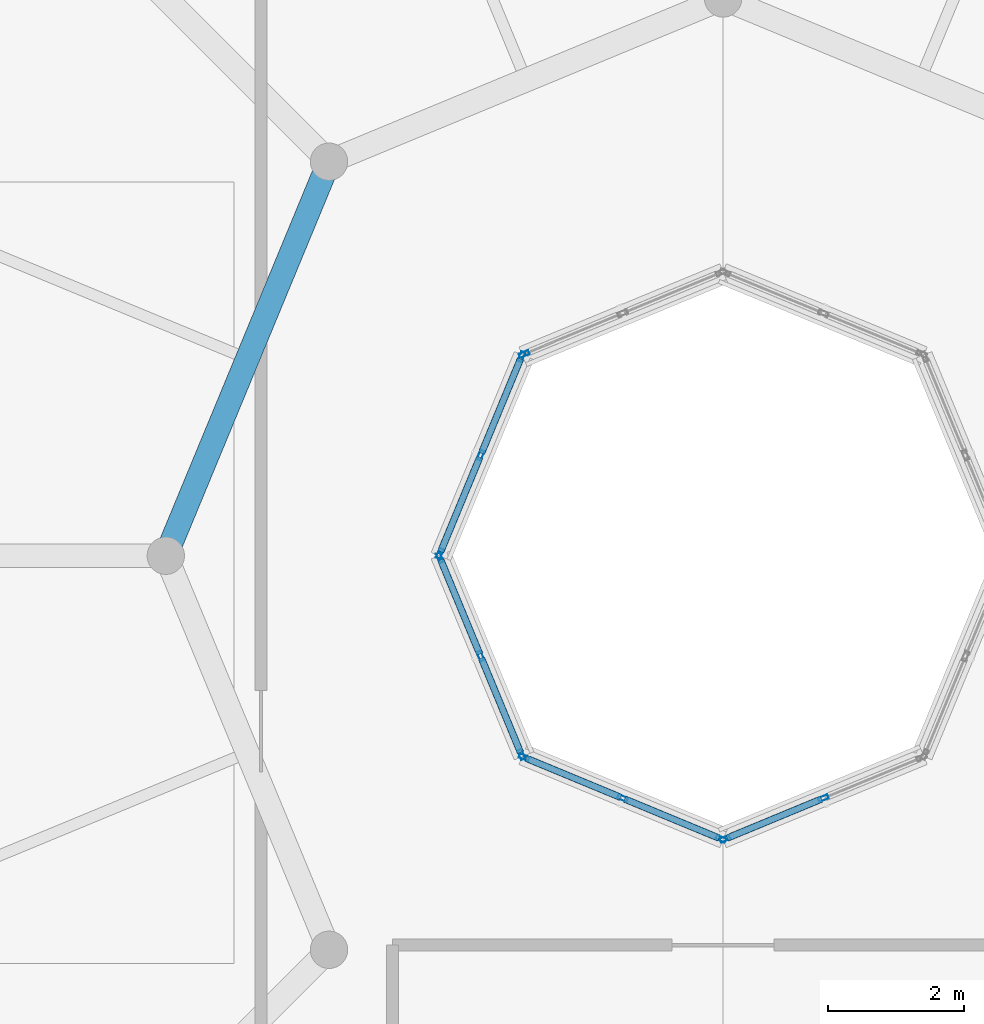
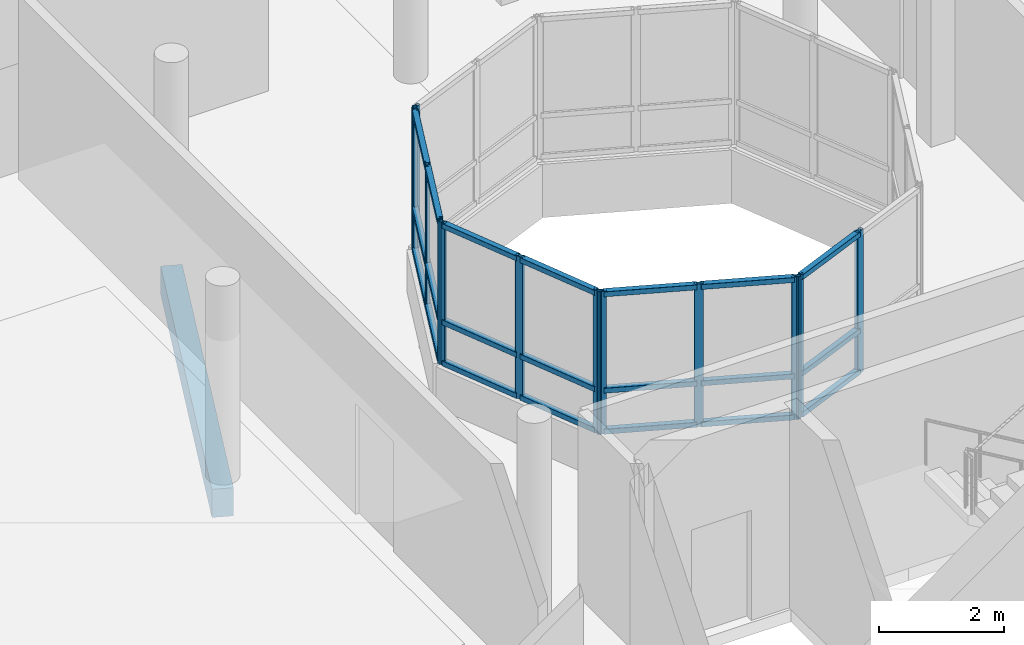
# One storey, part 69 of 121: 33 members, 1 beam, 5 elements without a shape of their own.
"""IFC4 building model written with IfcOpenShell, lengths in metres."""

from ifc_helpers import new_model, si_unit, direction, frame, origin, origin_2d, place, context, subcontext, project, spatial, rectangle, hollow_rectangle, extrude, material, layer, layer_set, material_profile, profile_set, type_object, element, aggregate, save


model = new_model("IFC4")

# Units and contexts
model_context = context("Model", 3, precision=1e-05, world=origin(), true_north=direction((0.0, 1.0)))
body_context = subcontext(model_context, "Body", "Model", "MODEL_VIEW")
ifc_project = project(units=[si_unit("LENGTHUNIT", "METRE"), si_unit("AREAUNIT", "SQUARE_METRE"), si_unit("VOLUMEUNIT", "CUBIC_METRE"), si_unit("PLANEANGLEUNIT", "RADIAN"), si_unit("MASSUNIT", "GRAM", prefix="KILO")], contexts=[model_context])

# Site, building, storey
site_placement = place(None, origin())
site = spatial("IfcSite", under=ifc_project, at=site_placement, CompositionType="ELEMENT")
building_placement = place(site_placement, origin())
building = spatial("IfcBuilding", under=site, at=building_placement, Name="Vespera Passage Community Centre", CompositionType="ELEMENT")
storey_placement = place(building_placement, frame((0.0, 0.0, 8.699951171875)))
storey = spatial("IfcBuildingStorey", under=building, at=storey_placement, Name="L02", CompositionType="ELEMENT", Elevation=8.699951171875)

# Beam
ifc_material_1 = material(Name="Concrete f'c 35 MPa", Category="concrete")
ifc_material_profile_1 = material_profile(ifc_material_1, rectangle(XDim=0.35009765625, YDim=0.550048828125, at=origin_2d()), Name="RC350X550")
ifc_profile_set_1 = profile_set([ifc_material_profile_1], Name="Concrete f'c 35 MPa")
beam_type = type_object("IfcBeamType", Name="BM-J-350X550", PredefinedType="JOIST", material=ifc_profile_set_1)
beam_placement = place(storey_placement, frame((135.20166015625, 30.79833984375, -0.514892578125), z_axis=(-0.382664436252, -0.92388740073, 0.0), x_axis=(0.92388740073, -0.382664436252, 0.0)))
element("IfcBeam", 1, at=beam_placement, inside=storey, type_object=beam_type, Name="V3 L02 Inner Ring Beam 4", PredefinedType="JOIST", context=body_context, shape_type="SweptSolid", body=[
    extrude(rectangle(XDim=0.35009765625, YDim=0.550048828125, at=origin_2d()), origin(), (0.0, 0.0, 1.0), 6.276123046875),
])

# Curtain wall, member
ifc_material_2 = material(Name="Anodized aluminium 6063-T6", Category="aluminium")
ifc_layer = layer(ifc_material_2, 0.159912109375)
ifc_layer_set = layer_set([ifc_layer], Name="Anodized aluminium 6063-T6")
curtain_wall_type = type_object("IfcCurtainWallType", Name="CW-110E", PredefinedType="NOTDEFINED", material=ifc_layer_set)
curtain_wall_1_placement = place(storey_placement, origin())
curtain_wall_1 = element("IfcCurtainWall", 2, at=curtain_wall_1_placement, inside=storey, type_object=curtain_wall_type, Name="V3 L02 Inner Court Ribbon Curtain Wall 3", PredefinedType="NOTDEFINED")
ifc_material_3 = material(Name="Anodized aluminium 6063-T6", Category="aluminium")
ifc_material_profile_2 = material_profile(ifc_material_3, hollow_rectangle(XDim=0.06494140625, YDim=0.14990234375, WallThickness=0.00390625, InnerFilletRadius=0.001953125, OuterFilletRadius=0.00390625, at=origin_2d()), Name="ALU150X65X4")
ifc_profile_set_2 = profile_set([ifc_material_profile_2], Name="Anodized aluminium 6063-T6")
member_type_1 = type_object("IfcMemberType", Name="MB-CWM-150E", PredefinedType="MULLION", material=ifc_profile_set_2)
member_1_placement = place(storey_placement, frame((138.07421875, 27.968017578125, 0.800048828125), z_axis=(0.0, 0.0, 1.0), x_axis=(0.382685826549, -0.923878540804, 0.0)))
member_1 = element("IfcMember", 3, at=member_1_placement, type_object=member_type_1, Name="CW-110E mullion 3", PredefinedType="MULLION", context=body_context, shape_type="SweptSolid", body=[
    extrude(hollow_rectangle(XDim=0.06494140625, YDim=0.14990234375, WallThickness=0.00390625, InnerFilletRadius=0.001953125, OuterFilletRadius=0.00390625, at=origin_2d()), origin(), (0.0, 0.0, 1.0), 2.780029296875),
])
aggregate(curtain_wall_1, [member_1])

# Curtain wall, members
curtain_wall_2_placement = place(storey_placement, origin())
curtain_wall_2 = element("IfcCurtainWall", 4, at=curtain_wall_2_placement, inside=storey, type_object=curtain_wall_type, Name="V3 L02 Inner Court Ribbon Curtain Wall 4", PredefinedType="NOTDEFINED")
member_2_placement = place(storey_placement, frame((138.031982421875, 27.92578125, 0.800048828125), z_axis=(0.0, 0.0, 1.0), x_axis=(0.923878540804, -0.382685826549, 0.0)))
member_2 = element("IfcMember", 5, at=member_2_placement, type_object=member_type_1, Name="CW-110E mullion 1", PredefinedType="MULLION", context=body_context, shape_type="SweptSolid", body=[
    extrude(hollow_rectangle(XDim=0.06494140625, YDim=0.14990234375, WallThickness=0.00390625, InnerFilletRadius=0.001953125, OuterFilletRadius=0.00390625, at=origin_2d()), origin(), (0.0, 0.0, 1.0), 2.780029296875),
])
member_3_placement = place(storey_placement, frame((137.43212890625, 26.477783203125, 0.800048828125), z_axis=(0.0, 0.0, 1.0), x_axis=(0.923878540804, -0.382685826549, 0.0)))
member_3 = element("IfcMember", 6, at=member_3_placement, type_object=member_type_1, Name="CW-110E mullion 2", PredefinedType="MULLION", context=body_context, shape_type="SweptSolid", body=[
    extrude(hollow_rectangle(XDim=0.06494140625, YDim=0.14990234375, WallThickness=0.00390625, InnerFilletRadius=0.001953125, OuterFilletRadius=0.00390625, at=origin_2d()), origin(), (0.0, 0.0, 1.0), 2.780029296875),
])
member_4_placement = place(storey_placement, frame((136.83251953125, 25.030029296875, 0.800048828125), z_axis=(0.0, 0.0, 1.0), x_axis=(0.923878540804, -0.382685826549, 0.0)))
member_4 = element("IfcMember", 7, at=member_4_placement, type_object=member_type_1, Name="CW-110E mullion 3", PredefinedType="MULLION", context=body_context, shape_type="SweptSolid", body=[
    extrude(hollow_rectangle(XDim=0.06494140625, YDim=0.14990234375, WallThickness=0.00390625, InnerFilletRadius=0.001953125, OuterFilletRadius=0.00390625, at=origin_2d()), origin(), (0.0, 0.0, 1.0), 2.780029296875),
])

curtain_wall_3_placement = place(storey_placement, origin())
curtain_wall_3 = element("IfcCurtainWall", 8, at=curtain_wall_3_placement, inside=storey, type_object=curtain_wall_type, Name="V3 L02 Inner Court Ribbon Curtain Wall 5", PredefinedType="NOTDEFINED")
member_5_placement = place(storey_placement, frame((136.83251953125, 24.969970703125, 0.800048828125), z_axis=(0.0, 0.0, 1.0), x_axis=(0.923878540804, 0.382685826549, 0.0)))
member_5 = element("IfcMember", 9, at=member_5_placement, type_object=member_type_1, Name="CW-110E mullion 1", PredefinedType="MULLION", context=body_context, shape_type="SweptSolid", body=[
    extrude(hollow_rectangle(XDim=0.06494140625, YDim=0.14990234375, WallThickness=0.00390625, InnerFilletRadius=0.001953125, OuterFilletRadius=0.00390625, at=origin_2d()), origin(), (0.0, 0.0, 1.0), 2.780029296875),
])
member_6_placement = place(storey_placement, frame((137.43212890625, 23.522216796875, 0.800048828125), z_axis=(0.0, 0.0, 1.0), x_axis=(0.923878540804, 0.382685826549, 0.0)))
member_6 = element("IfcMember", 10, at=member_6_placement, type_object=member_type_1, Name="CW-110E mullion 2", PredefinedType="MULLION", context=body_context, shape_type="SweptSolid", body=[
    extrude(hollow_rectangle(XDim=0.06494140625, YDim=0.14990234375, WallThickness=0.00390625, InnerFilletRadius=0.001953125, OuterFilletRadius=0.00390625, at=origin_2d()), origin(), (0.0, 0.0, 1.0), 2.780029296875),
])
member_7_placement = place(storey_placement, frame((138.031982421875, 22.07421875, 0.800048828125), z_axis=(0.0, 0.0, 1.0), x_axis=(0.923878540804, 0.382685826549, 0.0)))
member_7 = element("IfcMember", 11, at=member_7_placement, type_object=member_type_1, Name="CW-110E mullion 3", PredefinedType="MULLION", context=body_context, shape_type="SweptSolid", body=[
    extrude(hollow_rectangle(XDim=0.06494140625, YDim=0.14990234375, WallThickness=0.00390625, InnerFilletRadius=0.001953125, OuterFilletRadius=0.00390625, at=origin_2d()), origin(), (0.0, 0.0, 1.0), 2.780029296875),
])

curtain_wall_4_placement = place(storey_placement, origin())
curtain_wall_4 = element("IfcCurtainWall", 12, at=curtain_wall_4_placement, inside=storey, type_object=curtain_wall_type, Name="V3 L02 Inner Court Ribbon Curtain Wall 6", PredefinedType="NOTDEFINED")
member_8_placement = place(storey_placement, frame((138.07421875, 22.031982421875, 0.800048828125), z_axis=(0.0, 0.0, 1.0), x_axis=(0.382685826549, 0.923878540804, 0.0)))
member_8 = element("IfcMember", 13, at=member_8_placement, type_object=member_type_1, Name="CW-110E mullion 1", PredefinedType="MULLION", context=body_context, shape_type="SweptSolid", body=[
    extrude(hollow_rectangle(XDim=0.06494140625, YDim=0.14990234375, WallThickness=0.00390625, InnerFilletRadius=0.001953125, OuterFilletRadius=0.00390625, at=origin_2d()), origin(), (0.0, 0.0, 1.0), 2.780029296875),
])
member_9_placement = place(storey_placement, frame((139.522216796875, 21.43212890625, 0.800048828125), z_axis=(0.0, 0.0, 1.0), x_axis=(0.382685826549, 0.923878540804, 0.0)))
member_9 = element("IfcMember", 14, at=member_9_placement, type_object=member_type_1, Name="CW-110E mullion 2", PredefinedType="MULLION", context=body_context, shape_type="SweptSolid", body=[
    extrude(hollow_rectangle(XDim=0.06494140625, YDim=0.14990234375, WallThickness=0.00390625, InnerFilletRadius=0.001953125, OuterFilletRadius=0.00390625, at=origin_2d()), origin(), (0.0, 0.0, 1.0), 2.780029296875),
])
member_10_placement = place(storey_placement, frame((140.969970703125, 20.83251953125, 0.800048828125), z_axis=(0.0, 0.0, 1.0), x_axis=(0.382685826549, 0.923878540804, 0.0)))
member_10 = element("IfcMember", 15, at=member_10_placement, type_object=member_type_1, Name="CW-110E mullion 3", PredefinedType="MULLION", context=body_context, shape_type="SweptSolid", body=[
    extrude(hollow_rectangle(XDim=0.06494140625, YDim=0.14990234375, WallThickness=0.00390625, InnerFilletRadius=0.001953125, OuterFilletRadius=0.00390625, at=origin_2d()), origin(), (0.0, 0.0, 1.0), 2.780029296875),
])

curtain_wall_5_placement = place(storey_placement, origin())
curtain_wall_5 = element("IfcCurtainWall", 16, at=curtain_wall_5_placement, inside=storey, type_object=curtain_wall_type, Name="V3 L02 Inner Court Ribbon Curtain Wall 7", PredefinedType="NOTDEFINED")
member_11_placement = place(storey_placement, frame((141.030029296875, 20.83251953125, 0.800048828125), z_axis=(0.0, 0.0, 1.0), x_axis=(-0.382685826549, 0.923878540804, 0.0)))
member_11 = element("IfcMember", 17, at=member_11_placement, type_object=member_type_1, Name="CW-110E mullion 1", PredefinedType="MULLION", context=body_context, shape_type="SweptSolid", body=[
    extrude(hollow_rectangle(XDim=0.06494140625, YDim=0.14990234375, WallThickness=0.00390625, InnerFilletRadius=0.001953125, OuterFilletRadius=0.00390625, at=origin_2d()), origin(), (0.0, 0.0, 1.0), 2.780029296875),
])
member_12_placement = place(storey_placement, frame((142.477783203125, 21.43212890625, 0.800048828125), z_axis=(0.0, 0.0, 1.0), x_axis=(-0.382685826549, 0.923878540804, 0.0)))
member_12 = element("IfcMember", 18, at=member_12_placement, type_object=member_type_1, Name="CW-110E mullion 2", PredefinedType="MULLION", context=body_context, shape_type="SweptSolid", body=[
    extrude(hollow_rectangle(XDim=0.06494140625, YDim=0.14990234375, WallThickness=0.00390625, InnerFilletRadius=0.001953125, OuterFilletRadius=0.00390625, at=origin_2d()), origin(), (0.0, 0.0, 1.0), 2.780029296875),
])

# Member
ifc_material_4 = material(Name="Anodized aluminium 6063-T6", Category="aluminium")
ifc_material_profile_3 = material_profile(ifc_material_4, hollow_rectangle(XDim=0.10009765625, YDim=0.10009765625, WallThickness=0.00390625, InnerFilletRadius=0.001953125, OuterFilletRadius=0.00390625, at=origin_2d()), Name="ALU100X100X4")
ifc_profile_set_3 = profile_set([ifc_material_profile_3], Name="Anodized aluminium 6063-T6")
member_type_2 = type_object("IfcMemberType", Name="MB-CWT-100E", PredefinedType="USERDEFINED", material=ifc_profile_set_3)
member_13_placement = place(storey_placement, frame((138.01953125, 27.895751953125, 0.85009765625), z_axis=(-0.382710605355, -0.923868276622, 0.0), x_axis=(0.923868276622, -0.382710605355, 0.0)))
member_13 = element("IfcMember", 19, at=member_13_placement, type_object=member_type_2, Name="CW-110E transom 1.1", ObjectType="TRANSOM", PredefinedType="USERDEFINED", context=body_context, shape_type="SweptSolid", body=[
    extrude(hollow_rectangle(XDim=0.10009765625, YDim=0.10009765625, WallThickness=0.00390625, InnerFilletRadius=0.001953125, OuterFilletRadius=0.00390625, at=origin_2d()), origin(), (0.0, 0.0, 1.0), 1.502197265625),
])

member_14_placement = place(storey_placement, frame((138.01953125, 27.895751953125, 1.650146484375), z_axis=(-0.382710605355, -0.923868276622, 0.0), x_axis=(0.923868276622, -0.382710605355, 0.0)))
member_14 = element("IfcMember", 20, at=member_14_placement, type_object=member_type_2, Name="CW-110E transom 1.2", ObjectType="TRANSOM", PredefinedType="USERDEFINED", context=body_context, shape_type="SweptSolid", body=[
    extrude(hollow_rectangle(XDim=0.10009765625, YDim=0.10009765625, WallThickness=0.00390625, InnerFilletRadius=0.001953125, OuterFilletRadius=0.00390625, at=origin_2d()), origin(), (0.0, 0.0, 1.0), 1.502197265625),
])

member_15_placement = place(storey_placement, frame((138.01953125, 27.895751953125, 3.530029296875), z_axis=(-0.382710605355, -0.923868276622, 0.0), x_axis=(0.923868276622, -0.382710605355, 0.0)))
member_15 = element("IfcMember", 21, at=member_15_placement, type_object=member_type_2, Name="CW-110E transom 1.3", ObjectType="TRANSOM", PredefinedType="USERDEFINED", context=body_context, shape_type="SweptSolid", body=[
    extrude(hollow_rectangle(XDim=0.10009765625, YDim=0.10009765625, WallThickness=0.00390625, InnerFilletRadius=0.001953125, OuterFilletRadius=0.00390625, at=origin_2d()), origin(), (0.0, 0.0, 1.0), 1.502197265625),
])

member_16_placement = place(storey_placement, frame((137.419677734375, 26.44775390625, 0.85009765625), z_axis=(-0.382629338474, -0.923901937079, 0.0), x_axis=(0.923901937079, -0.382629338474, 0.0)))
member_16 = element("IfcMember", 22, at=member_16_placement, type_object=member_type_2, Name="CW-110E transom 2.1", ObjectType="TRANSOM", PredefinedType="USERDEFINED", context=body_context, shape_type="SweptSolid", body=[
    extrude(hollow_rectangle(XDim=0.10009765625, YDim=0.10009765625, WallThickness=0.00390625, InnerFilletRadius=0.001953125, OuterFilletRadius=0.00390625, at=origin_2d()), origin(), (0.0, 0.0, 1.0), 1.501953125),
])

member_17_placement = place(storey_placement, frame((137.419677734375, 26.44775390625, 1.650146484375), z_axis=(-0.382629338474, -0.923901937079, 0.0), x_axis=(0.923901937079, -0.382629338474, 0.0)))
member_17 = element("IfcMember", 23, at=member_17_placement, type_object=member_type_2, Name="CW-110E transom 2.2", ObjectType="TRANSOM", PredefinedType="USERDEFINED", context=body_context, shape_type="SweptSolid", body=[
    extrude(hollow_rectangle(XDim=0.10009765625, YDim=0.10009765625, WallThickness=0.00390625, InnerFilletRadius=0.001953125, OuterFilletRadius=0.00390625, at=origin_2d()), origin(), (0.0, 0.0, 1.0), 1.501953125),
])

member_18_placement = place(storey_placement, frame((137.419677734375, 26.44775390625, 3.530029296875), z_axis=(-0.382629338474, -0.923901937079, 0.0), x_axis=(0.923901937079, -0.382629338474, 0.0)))
member_18 = element("IfcMember", 24, at=member_18_placement, type_object=member_type_2, Name="CW-110E transom 2.3", ObjectType="TRANSOM", PredefinedType="USERDEFINED", context=body_context, shape_type="SweptSolid", body=[
    extrude(hollow_rectangle(XDim=0.10009765625, YDim=0.10009765625, WallThickness=0.00390625, InnerFilletRadius=0.001953125, OuterFilletRadius=0.00390625, at=origin_2d()), origin(), (0.0, 0.0, 1.0), 1.501953125),
])

aggregate(curtain_wall_2, [member_2, member_3, member_4, member_13, member_14, member_15, member_16, member_17, member_18])

member_19_placement = place(storey_placement, frame((136.844970703125, 24.93994140625, 0.85009765625), z_axis=(0.382629338474, -0.923901937079, 0.0), x_axis=(0.923901937079, 0.382629338474, 0.0)))
member_19 = element("IfcMember", 25, at=member_19_placement, type_object=member_type_2, Name="CW-110E transom 1.1", ObjectType="TRANSOM", PredefinedType="USERDEFINED", context=body_context, shape_type="SweptSolid", body=[
    extrude(hollow_rectangle(XDim=0.10009765625, YDim=0.10009765625, WallThickness=0.00390625, InnerFilletRadius=0.001953125, OuterFilletRadius=0.00390625, at=origin_2d()), origin(), (0.0, 0.0, 1.0), 1.501953125),
])

member_20_placement = place(storey_placement, frame((136.844970703125, 24.93994140625, 1.650146484375), z_axis=(0.382629338474, -0.923901937079, 0.0), x_axis=(0.923901937079, 0.382629338474, 0.0)))
member_20 = element("IfcMember", 26, at=member_20_placement, type_object=member_type_2, Name="CW-110E transom 1.2", ObjectType="TRANSOM", PredefinedType="USERDEFINED", context=body_context, shape_type="SweptSolid", body=[
    extrude(hollow_rectangle(XDim=0.10009765625, YDim=0.10009765625, WallThickness=0.00390625, InnerFilletRadius=0.001953125, OuterFilletRadius=0.00390625, at=origin_2d()), origin(), (0.0, 0.0, 1.0), 1.501953125),
])

member_21_placement = place(storey_placement, frame((136.844970703125, 24.93994140625, 3.530029296875), z_axis=(0.382629338474, -0.923901937079, 0.0), x_axis=(0.923901937079, 0.382629338474, 0.0)))
member_21 = element("IfcMember", 27, at=member_21_placement, type_object=member_type_2, Name="CW-110E transom 1.3", ObjectType="TRANSOM", PredefinedType="USERDEFINED", context=body_context, shape_type="SweptSolid", body=[
    extrude(hollow_rectangle(XDim=0.10009765625, YDim=0.10009765625, WallThickness=0.00390625, InnerFilletRadius=0.001953125, OuterFilletRadius=0.00390625, at=origin_2d()), origin(), (0.0, 0.0, 1.0), 1.501953125),
])

member_22_placement = place(storey_placement, frame((137.444580078125, 23.4921875, 0.85009765625), z_axis=(0.382710605355, -0.923868276622, 0.0), x_axis=(0.923868276622, 0.382710605355, 0.0)))
member_22 = element("IfcMember", 28, at=member_22_placement, type_object=member_type_2, Name="CW-110E transom 2.1", ObjectType="TRANSOM", PredefinedType="USERDEFINED", context=body_context, shape_type="SweptSolid", body=[
    extrude(hollow_rectangle(XDim=0.10009765625, YDim=0.10009765625, WallThickness=0.00390625, InnerFilletRadius=0.001953125, OuterFilletRadius=0.00390625, at=origin_2d()), origin(), (0.0, 0.0, 1.0), 1.502197265625),
])

member_23_placement = place(storey_placement, frame((137.444580078125, 23.4921875, 1.650146484375), z_axis=(0.382710605355, -0.923868276622, 0.0), x_axis=(0.923868276622, 0.382710605355, 0.0)))
member_23 = element("IfcMember", 29, at=member_23_placement, type_object=member_type_2, Name="CW-110E transom 2.2", ObjectType="TRANSOM", PredefinedType="USERDEFINED", context=body_context, shape_type="SweptSolid", body=[
    extrude(hollow_rectangle(XDim=0.10009765625, YDim=0.10009765625, WallThickness=0.00390625, InnerFilletRadius=0.001953125, OuterFilletRadius=0.00390625, at=origin_2d()), origin(), (0.0, 0.0, 1.0), 1.502197265625),
])

member_24_placement = place(storey_placement, frame((137.444580078125, 23.4921875, 3.530029296875), z_axis=(0.382710605355, -0.923868276622, 0.0), x_axis=(0.923868276622, 0.382710605355, 0.0)))
member_24 = element("IfcMember", 30, at=member_24_placement, type_object=member_type_2, Name="CW-110E transom 2.3", ObjectType="TRANSOM", PredefinedType="USERDEFINED", context=body_context, shape_type="SweptSolid", body=[
    extrude(hollow_rectangle(XDim=0.10009765625, YDim=0.10009765625, WallThickness=0.00390625, InnerFilletRadius=0.001953125, OuterFilletRadius=0.00390625, at=origin_2d()), origin(), (0.0, 0.0, 1.0), 1.502197265625),
])

aggregate(curtain_wall_3, [member_5, member_6, member_7, member_19, member_20, member_21, member_22, member_23, member_24])

member_25_placement = place(storey_placement, frame((138.104248046875, 22.01953125, 0.85009765625), z_axis=(0.923868276622, -0.382710605355, 0.0), x_axis=(0.382710605355, 0.923868276622, 0.0)))
member_25 = element("IfcMember", 31, at=member_25_placement, type_object=member_type_2, Name="CW-110E transom 1.1", ObjectType="TRANSOM", PredefinedType="USERDEFINED", context=body_context, shape_type="SweptSolid", body=[
    extrude(hollow_rectangle(XDim=0.10009765625, YDim=0.10009765625, WallThickness=0.00390625, InnerFilletRadius=0.001953125, OuterFilletRadius=0.00390625, at=origin_2d()), origin(), (0.0, 0.0, 1.0), 1.502197265625),
])

member_26_placement = place(storey_placement, frame((138.104248046875, 22.01953125, 1.650146484375), z_axis=(0.923868276622, -0.382710605355, 0.0), x_axis=(0.382710605355, 0.923868276622, 0.0)))
member_26 = element("IfcMember", 32, at=member_26_placement, type_object=member_type_2, Name="CW-110E transom 1.2", ObjectType="TRANSOM", PredefinedType="USERDEFINED", context=body_context, shape_type="SweptSolid", body=[
    extrude(hollow_rectangle(XDim=0.10009765625, YDim=0.10009765625, WallThickness=0.00390625, InnerFilletRadius=0.001953125, OuterFilletRadius=0.00390625, at=origin_2d()), origin(), (0.0, 0.0, 1.0), 1.502197265625),
])

member_27_placement = place(storey_placement, frame((138.104248046875, 22.01953125, 3.530029296875), z_axis=(0.923868276622, -0.382710605355, 0.0), x_axis=(0.382710605355, 0.923868276622, 0.0)))
member_27 = element("IfcMember", 33, at=member_27_placement, type_object=member_type_2, Name="CW-110E transom 1.3", ObjectType="TRANSOM", PredefinedType="USERDEFINED", context=body_context, shape_type="SweptSolid", body=[
    extrude(hollow_rectangle(XDim=0.10009765625, YDim=0.10009765625, WallThickness=0.00390625, InnerFilletRadius=0.001953125, OuterFilletRadius=0.00390625, at=origin_2d()), origin(), (0.0, 0.0, 1.0), 1.502197265625),
])

member_28_placement = place(storey_placement, frame((139.55224609375, 21.419677734375, 0.85009765625), z_axis=(0.923901937079, -0.382629338474, 0.0), x_axis=(0.382629338474, 0.923901937079, 0.0)))
member_28 = element("IfcMember", 34, at=member_28_placement, type_object=member_type_2, Name="CW-110E transom 2.1", ObjectType="TRANSOM", PredefinedType="USERDEFINED", context=body_context, shape_type="SweptSolid", body=[
    extrude(hollow_rectangle(XDim=0.10009765625, YDim=0.10009765625, WallThickness=0.00390625, InnerFilletRadius=0.001953125, OuterFilletRadius=0.00390625, at=origin_2d()), origin(), (0.0, 0.0, 1.0), 1.501953125),
])

member_29_placement = place(storey_placement, frame((139.55224609375, 21.419677734375, 1.650146484375), z_axis=(0.923901937079, -0.382629338474, 0.0), x_axis=(0.382629338474, 0.923901937079, 0.0)))
member_29 = element("IfcMember", 35, at=member_29_placement, type_object=member_type_2, Name="CW-110E transom 2.2", ObjectType="TRANSOM", PredefinedType="USERDEFINED", context=body_context, shape_type="SweptSolid", body=[
    extrude(hollow_rectangle(XDim=0.10009765625, YDim=0.10009765625, WallThickness=0.00390625, InnerFilletRadius=0.001953125, OuterFilletRadius=0.00390625, at=origin_2d()), origin(), (0.0, 0.0, 1.0), 1.501953125),
])

member_30_placement = place(storey_placement, frame((139.55224609375, 21.419677734375, 3.530029296875), z_axis=(0.923901937079, -0.382629338474, 0.0), x_axis=(0.382629338474, 0.923901937079, 0.0)))
member_30 = element("IfcMember", 36, at=member_30_placement, type_object=member_type_2, Name="CW-110E transom 2.3", ObjectType="TRANSOM", PredefinedType="USERDEFINED", context=body_context, shape_type="SweptSolid", body=[
    extrude(hollow_rectangle(XDim=0.10009765625, YDim=0.10009765625, WallThickness=0.00390625, InnerFilletRadius=0.001953125, OuterFilletRadius=0.00390625, at=origin_2d()), origin(), (0.0, 0.0, 1.0), 1.501953125),
])

aggregate(curtain_wall_4, [member_8, member_9, member_10, member_25, member_26, member_27, member_28, member_29, member_30])

member_31_placement = place(storey_placement, frame((141.06005859375, 20.844970703125, 0.85009765625), z_axis=(0.923901937079, 0.382629338474, 0.0), x_axis=(-0.382629338474, 0.923901937079, 0.0)))
member_31 = element("IfcMember", 37, at=member_31_placement, type_object=member_type_2, Name="CW-110E transom 1.1", ObjectType="TRANSOM", PredefinedType="USERDEFINED", context=body_context, shape_type="SweptSolid", body=[
    extrude(hollow_rectangle(XDim=0.10009765625, YDim=0.10009765625, WallThickness=0.00390625, InnerFilletRadius=0.001953125, OuterFilletRadius=0.00390625, at=origin_2d()), origin(), (0.0, 0.0, 1.0), 1.501953125),
])

member_32_placement = place(storey_placement, frame((141.06005859375, 20.844970703125, 1.650146484375), z_axis=(0.923901937079, 0.382629338474, 0.0), x_axis=(-0.382629338474, 0.923901937079, 0.0)))
member_32 = element("IfcMember", 38, at=member_32_placement, type_object=member_type_2, Name="CW-110E transom 1.2", ObjectType="TRANSOM", PredefinedType="USERDEFINED", context=body_context, shape_type="SweptSolid", body=[
    extrude(hollow_rectangle(XDim=0.10009765625, YDim=0.10009765625, WallThickness=0.00390625, InnerFilletRadius=0.001953125, OuterFilletRadius=0.00390625, at=origin_2d()), origin(), (0.0, 0.0, 1.0), 1.501953125),
])

member_33_placement = place(storey_placement, frame((141.06005859375, 20.844970703125, 3.530029296875), z_axis=(0.923901937079, 0.382629338474, 0.0), x_axis=(-0.382629338474, 0.923901937079, 0.0)))
member_33 = element("IfcMember", 39, at=member_33_placement, type_object=member_type_2, Name="CW-110E transom 1.3", ObjectType="TRANSOM", PredefinedType="USERDEFINED", context=body_context, shape_type="SweptSolid", body=[
    extrude(hollow_rectangle(XDim=0.10009765625, YDim=0.10009765625, WallThickness=0.00390625, InnerFilletRadius=0.001953125, OuterFilletRadius=0.00390625, at=origin_2d()), origin(), (0.0, 0.0, 1.0), 1.501953125),
])

aggregate(curtain_wall_5, [member_11, member_12, member_31, member_32, member_33])

save(model, "model.ifc")
